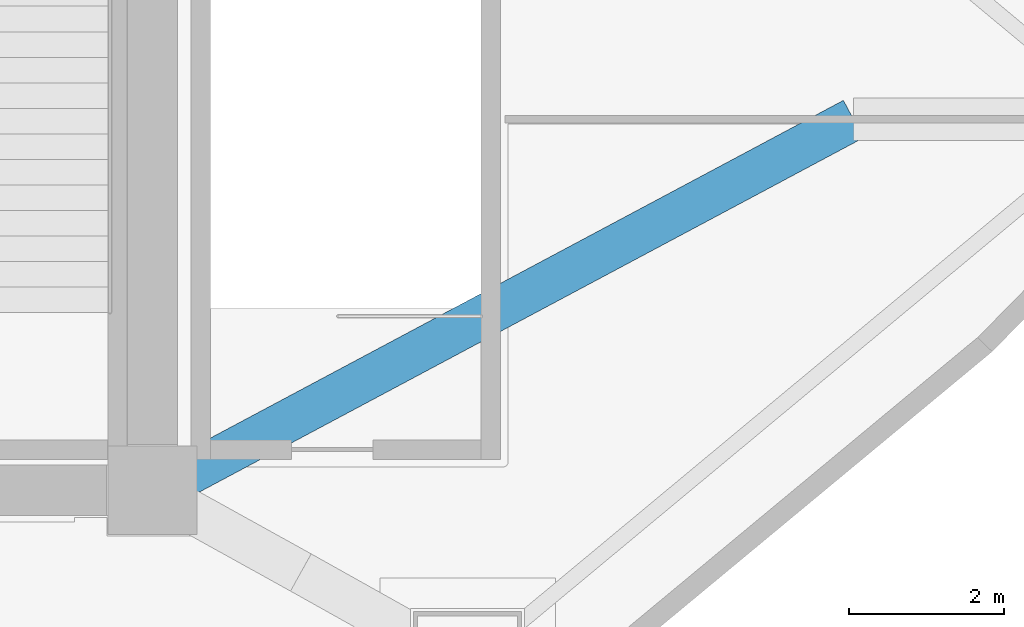
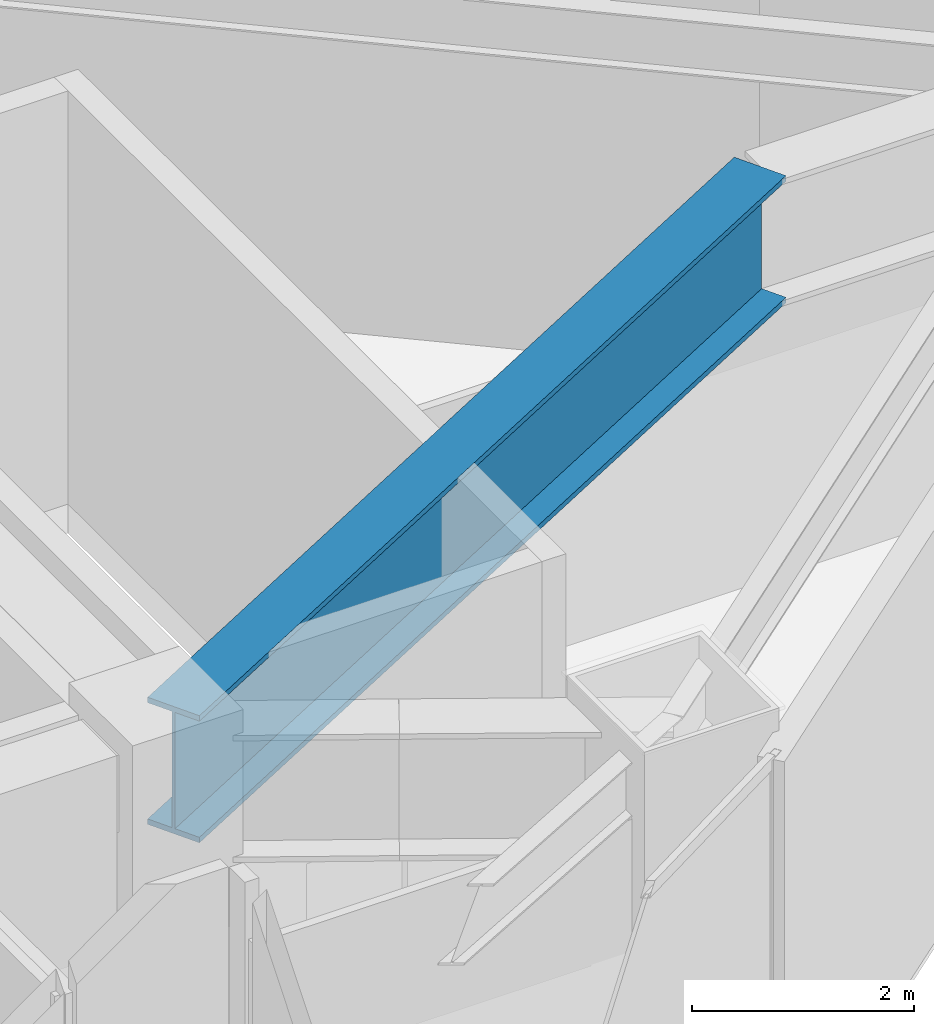
# One storey, part 7 of 19: 1 beam.
"""IFC4 building model written with IfcOpenShell, lengths in metres."""

from ifc_helpers import new_model, si_unit, direction, frame, origin, origin_2d, place, context, subcontext, project, spatial, i_section, extrude, material, material_profile, profile_set, type_object, element, save


model = new_model("IFC4")

# Units and contexts
model_context = context("Model", 3, precision=1e-05, world=origin(), true_north=direction((0.0, 1.0)))
body_context = subcontext(model_context, "Body", "Model", "MODEL_VIEW")
ifc_project = project(units=[si_unit("LENGTHUNIT", "METRE"), si_unit("AREAUNIT", "SQUARE_METRE"), si_unit("VOLUMEUNIT", "CUBIC_METRE"), si_unit("PLANEANGLEUNIT", "RADIAN"), si_unit("MASSUNIT", "GRAM", prefix="KILO")], contexts=[model_context])

# Site, building, storey
site_placement = place(None, origin())
site = spatial("IfcSite", under=ifc_project, at=site_placement, CompositionType="ELEMENT")
building_placement = place(site_placement, origin())
building = spatial("IfcBuilding", under=site, at=building_placement, Name="Menara Vayukalpa", CompositionType="ELEMENT")
storey_placement = place(building_placement, frame((0.0, 0.0, 22.800048828125)))
storey = spatial("IfcBuildingStorey", under=building, at=storey_placement, Name="L04", CompositionType="ELEMENT", Elevation=22.800048828125)

# Beam
ifc_material = material(Name="Steel S460", Category="steel")
ifc_material_profile = material_profile(ifc_material, i_section(OverallWidth=0.550048828125, OverallDepth=1.39990234375, WebThickness=0.031982421875, FlangeThickness=0.06005859375, at=origin_2d()), Name="WG 1400x550x32x60")
ifc_profile_set = profile_set([ifc_material_profile], Name="Steel S460")
beam_type = type_object("IfcBeamType", Name="BM-TG1", PredefinedType="BEAM", material=ifc_profile_set)
beam_placement = place(storey_placement, frame((33.633544921875, 17.2890625, 3.849853515625), z_axis=(0.882315127223, 0.470659129597, 0.0), x_axis=(-0.470659129597, 0.882315127223, 0.0)))
element("IfcBeam", 1, at=beam_placement, inside=storey, type_object=beam_type, Name="L04 Radial Transfer Girder Inner 01", PredefinedType="BEAM", context=body_context, shape_type="SweptSolid", body=[
    extrude(i_section(OverallWidth=0.550048828125, OverallDepth=1.39990234375, WebThickness=0.031982421875, FlangeThickness=0.06005859375, at=origin_2d()), origin(), (0.0, 0.0, 1.0), 10.00927734375),
])

save(model, "model.ifc")
